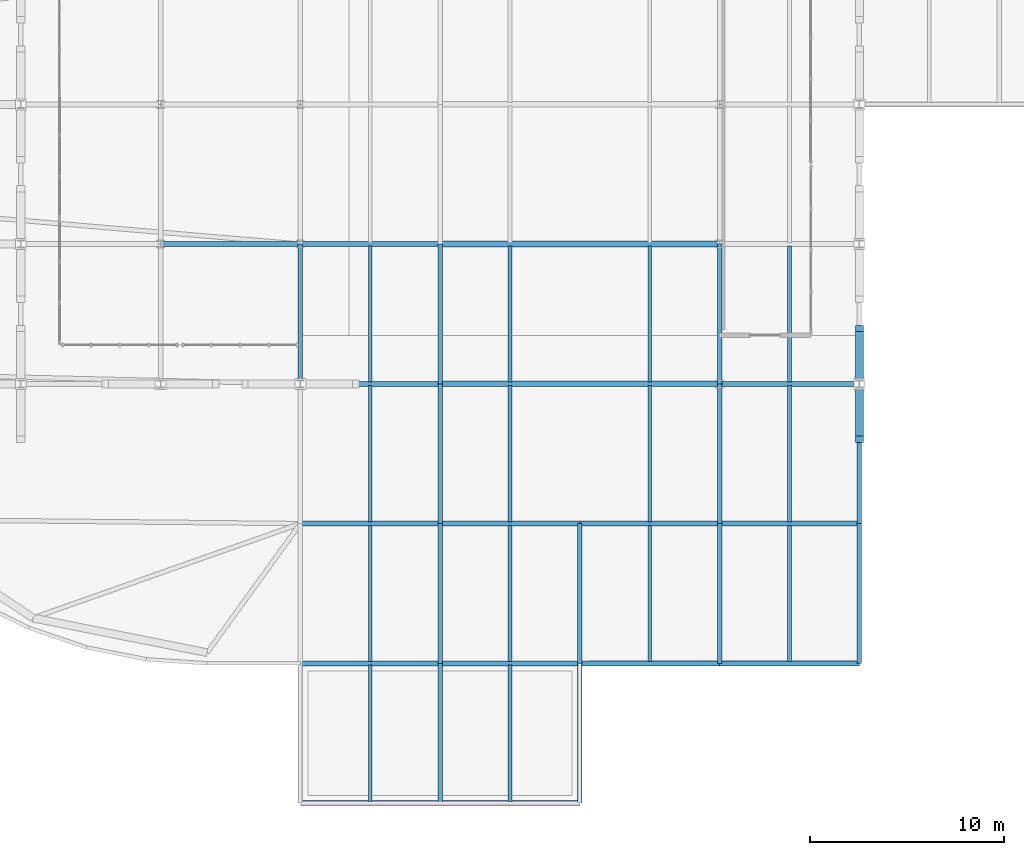
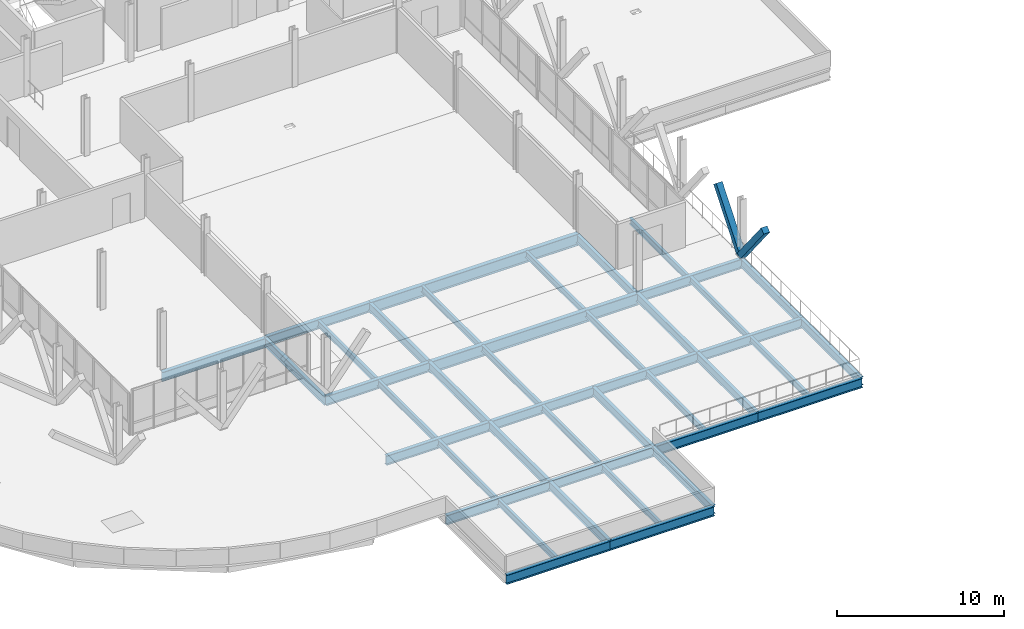
# One storey, part 12 of 102: 42 beams, 2 members.
"""IFC4 building model written with IfcOpenShell, lengths in metres."""

from ifc_helpers import new_model, si_unit, direction, frame, origin, origin_2d, place, context, subcontext, project, spatial, rectangle, i_section, extrude, material, material_profile, profile_set, type_object, element, save


model = new_model("IFC4")

# Units and contexts
model_context = context("Model", 3, precision=1e-05, world=origin(), true_north=direction((0.0, 1.0)))
body_context = subcontext(model_context, "Body", "Model", "MODEL_VIEW")
ifc_project = project(units=[si_unit("LENGTHUNIT", "METRE"), si_unit("AREAUNIT", "SQUARE_METRE"), si_unit("VOLUMEUNIT", "CUBIC_METRE"), si_unit("PLANEANGLEUNIT", "RADIAN"), si_unit("MASSUNIT", "GRAM", prefix="KILO")], contexts=[model_context])

# Site, building, storey
site_placement = place(None, origin())
site = spatial("IfcSite", under=ifc_project, at=site_placement, CompositionType="ELEMENT")
building_placement = place(site_placement, origin())
building = spatial("IfcBuilding", under=site, at=building_placement, Name="Yarey Park Central Fire Station", CompositionType="ELEMENT")
storey_placement = place(building_placement, frame((0.0, 0.0, 6.0)))
storey = spatial("IfcBuildingStorey", under=building, at=storey_placement, Name="L02", CompositionType="ELEMENT", Elevation=6.0)

# Beams
ifc_material_1 = material(Name="Steel ASTM A992 Gr. 50", Category="steel")
ifc_material_profile_1 = material_profile(ifc_material_1, i_section(OverallWidth=0.22900390625, OverallDepth=0.612060546875, WebThickness=0.011962890625, FlangeThickness=0.01953125, at=origin_2d()), Name="W610x125")
ifc_profile_set_1 = profile_set([ifc_material_profile_1], Name="Steel ASTM A992 Gr. 50")
beam_type_1 = type_object("IfcBeamType", Name="STR_BM_W610", PredefinedType="BEAM", material=ifc_profile_set_1)
for number, where, z_axis, x_axis, name in (
    (1, (28.800048828125, 21.60009765625, -0.591064453125), (0.0, 1.0, 0.0), (-1.0, 0.0, 0.0), "BMY L02 X288 Y216"),
    (2, (36.0, 0.0, -0.5009765625), (0.0, 1.0, 0.0), (-1.0, 0.0, 0.0), "BMY L02 X360 Y0"),
    (3, (36.0, 7.199951171875, -0.510986328125), (0.0, 1.0, 0.0), (-1.0, 0.0, 0.0), "BMY L02 X360 Y72"),
):
    element("IfcBeam", number, at=place(storey_placement, frame(where, z_axis=z_axis, x_axis=x_axis)), inside=storey, type_object=beam_type_1, Name=name, PredefinedType="BEAM", context=body_context, shape_type="SweptSolid", body=[
        extrude(i_section(OverallWidth=0.22900390625, OverallDepth=0.612060546875, WebThickness=0.011962890625, FlangeThickness=0.01953125, at=origin_2d()), origin(), (0.0, 0.0, 1.0), 7.199951171875),
    ])
beam_1_placement = place(storey_placement, frame((36.0, 14.39990234375, -0.510986328125), z_axis=(0.0, 1.0, 0.0), x_axis=(-1.0, 0.0, 0.0)))
element("IfcBeam", 4, at=beam_1_placement, inside=storey, type_object=beam_type_1, Name="BMY L02 X360 Y144", PredefinedType="BEAM", context=body_context, shape_type="SweptSolid", body=[
    extrude(i_section(OverallWidth=0.22900390625, OverallDepth=0.612060546875, WebThickness=0.011962890625, FlangeThickness=0.01953125, at=origin_2d()), origin(), (0.0, 0.0, 1.0), 7.2001953125),
])
for number, where, z_axis, x_axis, name in (
    (5, (36.0, 21.60009765625, -0.51611328125), (0.0, 1.0, 0.0), (-1.0, 0.0, 0.0), "BMY L02 X360 Y216"),
    (6, (43.199951171875, 0.0, -0.5009765625), (0.0, 1.0, 0.0), (-1.0, 0.0, 0.0), "BMY L02 X432 Y0"),
    (7, (43.199951171875, 7.199951171875, -0.510986328125), (0.0, 1.0, 0.0), (-1.0, 0.0, 0.0), "BMY L02 X432 Y72"),
    (8, (50.39990234375, 7.199951171875, -0.510986328125), (0.0, 1.0, 0.0), (-1.0, 0.0, 0.0), "BMY L02 X504 Y72"),
):
    element("IfcBeam", number, at=place(storey_placement, frame(where, z_axis=z_axis, x_axis=x_axis)), inside=storey, type_object=beam_type_1, Name=name, PredefinedType="BEAM", context=body_context, shape_type="SweptSolid", body=[
        extrude(i_section(OverallWidth=0.22900390625, OverallDepth=0.612060546875, WebThickness=0.011962890625, FlangeThickness=0.01953125, at=origin_2d()), origin(), (0.0, 0.0, 1.0), 7.199951171875),
    ])
beam_2_placement = place(storey_placement, frame((50.39990234375, 14.39990234375, -0.510986328125), z_axis=(0.0, 1.0, 0.0), x_axis=(-1.0, 0.0, 0.0)))
element("IfcBeam", 9, at=beam_2_placement, inside=storey, type_object=beam_type_1, Name="BMY L02 X504 Y144", PredefinedType="BEAM", context=body_context, shape_type="SweptSolid", body=[
    extrude(i_section(OverallWidth=0.22900390625, OverallDepth=0.612060546875, WebThickness=0.011962890625, FlangeThickness=0.01953125, at=origin_2d()), origin(), (0.0, 0.0, 1.0), 7.2001953125),
])
for number, where, z_axis, x_axis, name in (
    (10, (50.39990234375, 21.60009765625, -0.591064453125), (0.0, 1.0, 0.0), (-1.0, 0.0, 0.0), "BMY L02 X504 Y216"),
    (11, (57.60009765625, 7.199951171875, -0.510986328125), (0.0, 1.0, 0.0), (-1.0, 0.0, 0.0), "BMY L02 X576 Y72"),
):
    element("IfcBeam", number, at=place(storey_placement, frame(where, z_axis=z_axis, x_axis=x_axis)), inside=storey, type_object=beam_type_1, Name=name, PredefinedType="BEAM", context=body_context, shape_type="SweptSolid", body=[
        extrude(i_section(OverallWidth=0.22900390625, OverallDepth=0.612060546875, WebThickness=0.011962890625, FlangeThickness=0.01953125, at=origin_2d()), origin(), (0.0, 0.0, 1.0), 7.199951171875),
    ])
beam_3_placement = place(storey_placement, frame((57.60009765625, 14.39990234375, -0.510986328125), z_axis=(0.0, 1.0, 0.0), x_axis=(-1.0, 0.0, 0.0)))
element("IfcBeam", 12, at=beam_3_placement, inside=storey, type_object=beam_type_1, Name="BMY L02 X576 Y144", PredefinedType="BEAM", context=body_context, shape_type="SweptSolid", body=[
    extrude(i_section(OverallWidth=0.22900390625, OverallDepth=0.612060546875, WebThickness=0.011962890625, FlangeThickness=0.01953125, at=origin_2d()), origin(), (0.0, 0.0, 1.0), 7.2001953125),
])
ifc_material_profile_2 = material_profile(ifc_material_1, i_section(OverallWidth=0.256103515625, OverallDepth=0.693115234375, WebThickness=0.014404296875, FlangeThickness=0.023681640625, at=origin_2d()), Name="W690x170")
ifc_profile_set_2 = profile_set([ifc_material_profile_2], Name="Steel ASTM A992 Gr. 50")
beam_type_2 = type_object("IfcBeamType", Name="STR_BM_W690", PredefinedType="BEAM", material=ifc_profile_set_2)
for number, where, z_axis, x_axis, name in (
    (13, (28.800048828125, 0.0, -0.54150390625), (1.0, 0.0, 0.0), (0.0, 1.0, 0.0), "BMX L02 Y0 X288"),
    (14, (36.0, 0.0, -0.54150390625), (1.0, 0.0, 0.0), (0.0, 1.0, 0.0), "BMX L02 Y0 X360"),
    (15, (28.800048828125, 7.199951171875, -0.551513671875), (1.0, 0.0, 0.0), (0.0, 1.0, 0.0), "BMX L02 Y72 X288"),
    (16, (36.0, 7.199951171875, -0.551513671875), (1.0, 0.0, 0.0), (0.0, 1.0, 0.0), "BMX L02 Y72 X360"),
    (17, (43.199951171875, 7.199951171875, -0.551513671875), (1.0, 0.0, 0.0), (0.0, 1.0, 0.0), "BMX L02 Y72 X432"),
):
    element("IfcBeam", number, at=place(storey_placement, frame(where, z_axis=z_axis, x_axis=x_axis)), inside=storey, type_object=beam_type_2, Name=name, PredefinedType="BEAM", context=body_context, shape_type="SweptSolid", body=[
        extrude(i_section(OverallWidth=0.256103515625, OverallDepth=0.693115234375, WebThickness=0.014404296875, FlangeThickness=0.023681640625, at=origin_2d()), origin(), (0.0, 0.0, 1.0), 7.199951171875),
    ])
beam_4_placement = place(storey_placement, frame((50.39990234375, 7.199951171875, -0.551513671875), z_axis=(1.0, 0.0, 0.0), x_axis=(0.0, 1.0, 0.0)))
element("IfcBeam", 18, at=beam_4_placement, inside=storey, type_object=beam_type_2, Name="BMX L02 Y72 X504", PredefinedType="BEAM", context=body_context, shape_type="SweptSolid", body=[
    extrude(i_section(OverallWidth=0.256103515625, OverallDepth=0.693115234375, WebThickness=0.014404296875, FlangeThickness=0.023681640625, at=origin_2d()), origin(), (0.0, 0.0, 1.0), 7.2001953125),
])
for number, where, z_axis, x_axis, name in (
    (19, (28.800048828125, 14.39990234375, -0.551513671875), (1.0, 0.0, 0.0), (0.0, 1.0, 0.0), "BMX L02 Y144 X288"),
    (20, (36.0, 14.39990234375, -0.551513671875), (1.0, 0.0, 0.0), (0.0, 1.0, 0.0), "BMX L02 Y144 X360"),
    (21, (43.199951171875, 14.39990234375, -0.551513671875), (1.0, 0.0, 0.0), (0.0, 1.0, 0.0), "BMX L02 Y144 X432"),
):
    element("IfcBeam", number, at=place(storey_placement, frame(where, z_axis=z_axis, x_axis=x_axis)), inside=storey, type_object=beam_type_2, Name=name, PredefinedType="BEAM", context=body_context, shape_type="SweptSolid", body=[
        extrude(i_section(OverallWidth=0.256103515625, OverallDepth=0.693115234375, WebThickness=0.014404296875, FlangeThickness=0.023681640625, at=origin_2d()), origin(), (0.0, 0.0, 1.0), 7.199951171875),
    ])
beam_5_placement = place(storey_placement, frame((50.39990234375, 14.39990234375, -0.551513671875), z_axis=(1.0, 0.0, 0.0), x_axis=(0.0, 1.0, 0.0)))
element("IfcBeam", 22, at=beam_5_placement, inside=storey, type_object=beam_type_2, Name="BMX L02 Y144 X504", PredefinedType="BEAM", context=body_context, shape_type="SweptSolid", body=[
    extrude(i_section(OverallWidth=0.256103515625, OverallDepth=0.693115234375, WebThickness=0.014404296875, FlangeThickness=0.023681640625, at=origin_2d()), origin(), (0.0, 0.0, 1.0), 7.2001953125),
])
beam_6_placement = place(storey_placement, frame((28.800048828125, 21.60009765625, -0.551513671875), z_axis=(1.0, 0.0, 0.0), x_axis=(0.0, 1.0, 0.0)))
element("IfcBeam", 23, at=beam_6_placement, inside=storey, type_object=beam_type_2, Name="BMX L02 Y216 X288", PredefinedType="BEAM", context=body_context, shape_type="SweptSolid", body=[
    extrude(i_section(OverallWidth=0.256103515625, OverallDepth=0.693115234375, WebThickness=0.014404296875, FlangeThickness=0.023681640625, at=origin_2d()), origin(), (0.0, 0.0, 1.0), 7.199951171875),
])
beam_7_placement = place(storey_placement, frame((50.39990234375, 21.60009765625, -0.551513671875), z_axis=(1.0, 0.0, 0.0), x_axis=(0.0, 1.0, 0.0)))
element("IfcBeam", 24, at=beam_7_placement, inside=storey, type_object=beam_type_2, Name="BMX L02 Y216 X504", PredefinedType="BEAM", context=body_context, shape_type="SweptSolid", body=[
    extrude(i_section(OverallWidth=0.256103515625, OverallDepth=0.693115234375, WebThickness=0.014404296875, FlangeThickness=0.023681640625, at=origin_2d()), origin(), (0.0, 0.0, 1.0), 7.2001953125),
])
for number, where, z_axis, x_axis, name in (
    (25, (28.800048828125, 28.800048828125, -0.556396484375), (1.0, 0.0, 0.0), (0.0, 1.0, 0.0), "BMX L02 Y288 X288"),
    (26, (21.60009765625, 28.800048828125, -0.631591796875), (1.0, 0.0, 0.0), (0.0, 1.0, 0.0), "DRUM L02 G2 Y288"),
):
    element("IfcBeam", number, at=place(storey_placement, frame(where, z_axis=z_axis, x_axis=x_axis)), inside=storey, type_object=beam_type_2, Name=name, PredefinedType="BEAM", context=body_context, shape_type="SweptSolid", body=[
        extrude(i_section(OverallWidth=0.256103515625, OverallDepth=0.693115234375, WebThickness=0.014404296875, FlangeThickness=0.023681640625, at=origin_2d()), origin(), (0.0, 0.0, 1.0), 7.199951171875),
    ])
ifc_material_profile_3 = material_profile(ifc_material_1, i_section(OverallWidth=0.2939453125, OverallDepth=0.85107421875, WebThickness=0.01611328125, FlangeThickness=0.02685546875, at=origin_2d()), Name="W840x226")
ifc_profile_set_3 = profile_set([ifc_material_profile_3], Name="Steel ASTM A992 Gr. 50")
beam_type_3 = type_object("IfcBeamType", Name="STR_BM_W840", PredefinedType="BEAM", material=ifc_profile_set_3)
for number, where, z_axis, x_axis, name in (
    (27, (36.0, 21.60009765625, -0.630615234375), (1.0, 0.0, 0.0), (0.0, 1.0, 0.0), "BMX L02 Y216 X360"),
    (28, (36.0, 28.800048828125, -0.635498046875), (1.0, 0.0, 0.0), (0.0, 1.0, 0.0), "BMX L02 Y288 X360"),
):
    element("IfcBeam", number, at=place(storey_placement, frame(where, z_axis=z_axis, x_axis=x_axis)), inside=storey, type_object=beam_type_3, Name=name, PredefinedType="BEAM", context=body_context, shape_type="SweptSolid", body=[
        extrude(i_section(OverallWidth=0.2939453125, OverallDepth=0.85107421875, WebThickness=0.01611328125, FlangeThickness=0.02685546875, at=origin_2d()), origin(), (0.0, 0.0, 1.0), 14.39990234375),
    ])
ifc_material_profile_4 = material_profile(ifc_material_1, i_section(OverallWidth=0.18994140625, OverallDepth=0.45703125, WebThickness=0.009033203125, FlangeThickness=0.014404296875, at=origin_2d()), Name="W460x74")
ifc_profile_set_4 = profile_set([ifc_material_profile_4], Name="Steel ASTM A992 Gr. 50")
beam_type_4 = type_object("IfcBeamType", Name="STR_JST_W460", PredefinedType="JOIST", material=ifc_profile_set_4)
for number, where, z_axis, x_axis, name in (
    (29, (32.39990234375, 0.094970703125, -0.423583984375), (0.0, 1.0, 0.0), (-1.0, 0.0, 0.0), "JST L02 X324 Y0"),
    (30, (32.39990234375, 7.294921875, -0.43359375), (0.0, 1.0, 0.0), (-1.0, 0.0, 0.0), "JST L02 X324 Y72"),
):
    element("IfcBeam", number, at=place(storey_placement, frame(where, z_axis=z_axis, x_axis=x_axis)), inside=storey, type_object=beam_type_4, Name=name, PredefinedType="JOIST", context=body_context, shape_type="SweptSolid", body=[
        extrude(i_section(OverallWidth=0.18994140625, OverallDepth=0.45703125, WebThickness=0.009033203125, FlangeThickness=0.014404296875, at=origin_2d()), origin(), (0.0, 0.0, 1.0), 7.010009765625),
    ])
beam_8_placement = place(storey_placement, frame((32.39990234375, 14.4951171875, -0.43359375), z_axis=(0.0, 1.0, 0.0), x_axis=(-1.0, 0.0, 0.0)))
element("IfcBeam", 31, at=beam_8_placement, inside=storey, type_object=beam_type_4, Name="JST L02 X324 Y144", PredefinedType="JOIST", context=body_context, shape_type="SweptSolid", body=[
    extrude(i_section(OverallWidth=0.18994140625, OverallDepth=0.45703125, WebThickness=0.009033203125, FlangeThickness=0.014404296875, at=origin_2d()), origin(), (0.0, 0.0, 1.0), 7.009765625),
])
for number, where, z_axis, x_axis, name in (
    (32, (32.39990234375, 21.695068359375, -0.4384765625), (0.0, 1.0, 0.0), (-1.0, 0.0, 0.0), "JST L02 X324 Y216"),
    (33, (39.60009765625, 0.094970703125, -0.423583984375), (0.0, 1.0, 0.0), (-1.0, 0.0, 0.0), "JST L02 X396 Y0"),
    (34, (39.60009765625, 7.294921875, -0.43359375), (0.0, 1.0, 0.0), (-1.0, 0.0, 0.0), "JST L02 X396 Y72"),
):
    element("IfcBeam", number, at=place(storey_placement, frame(where, z_axis=z_axis, x_axis=x_axis)), inside=storey, type_object=beam_type_4, Name=name, PredefinedType="JOIST", context=body_context, shape_type="SweptSolid", body=[
        extrude(i_section(OverallWidth=0.18994140625, OverallDepth=0.45703125, WebThickness=0.009033203125, FlangeThickness=0.014404296875, at=origin_2d()), origin(), (0.0, 0.0, 1.0), 7.010009765625),
    ])
beam_9_placement = place(storey_placement, frame((39.60009765625, 14.4951171875, -0.43359375), z_axis=(0.0, 1.0, 0.0), x_axis=(-1.0, 0.0, 0.0)))
element("IfcBeam", 35, at=beam_9_placement, inside=storey, type_object=beam_type_4, Name="JST L02 X396 Y144", PredefinedType="JOIST", context=body_context, shape_type="SweptSolid", body=[
    extrude(i_section(OverallWidth=0.18994140625, OverallDepth=0.45703125, WebThickness=0.009033203125, FlangeThickness=0.014404296875, at=origin_2d()), origin(), (0.0, 0.0, 1.0), 7.009765625),
])
for number, where, z_axis, x_axis, name in (
    (36, (39.60009765625, 21.695068359375, -0.4384765625), (0.0, 1.0, 0.0), (-1.0, 0.0, 0.0), "JST L02 X396 Y216"),
    (37, (46.800048828125, 7.294921875, -0.43359375), (0.0, 1.0, 0.0), (-1.0, 0.0, 0.0), "JST L02 X468 Y72"),
):
    element("IfcBeam", number, at=place(storey_placement, frame(where, z_axis=z_axis, x_axis=x_axis)), inside=storey, type_object=beam_type_4, Name=name, PredefinedType="JOIST", context=body_context, shape_type="SweptSolid", body=[
        extrude(i_section(OverallWidth=0.18994140625, OverallDepth=0.45703125, WebThickness=0.009033203125, FlangeThickness=0.014404296875, at=origin_2d()), origin(), (0.0, 0.0, 1.0), 7.010009765625),
    ])
beam_10_placement = place(storey_placement, frame((46.800048828125, 14.4951171875, -0.43359375), z_axis=(0.0, 1.0, 0.0), x_axis=(-1.0, 0.0, 0.0)))
element("IfcBeam", 38, at=beam_10_placement, inside=storey, type_object=beam_type_4, Name="JST L02 X468 Y144", PredefinedType="JOIST", context=body_context, shape_type="SweptSolid", body=[
    extrude(i_section(OverallWidth=0.18994140625, OverallDepth=0.45703125, WebThickness=0.009033203125, FlangeThickness=0.014404296875, at=origin_2d()), origin(), (0.0, 0.0, 1.0), 7.009765625),
])
for number, where, z_axis, x_axis, name in (
    (39, (46.800048828125, 21.695068359375, -0.4384765625), (0.0, 1.0, 0.0), (-1.0, 0.0, 0.0), "JST L02 X468 Y216"),
    (40, (54.0, 7.294921875, -0.43359375), (0.0, 1.0, 0.0), (-1.0, 0.0, 0.0), "JST L02 X540 Y72"),
):
    element("IfcBeam", number, at=place(storey_placement, frame(where, z_axis=z_axis, x_axis=x_axis)), inside=storey, type_object=beam_type_4, Name=name, PredefinedType="JOIST", context=body_context, shape_type="SweptSolid", body=[
        extrude(i_section(OverallWidth=0.18994140625, OverallDepth=0.45703125, WebThickness=0.009033203125, FlangeThickness=0.014404296875, at=origin_2d()), origin(), (0.0, 0.0, 1.0), 7.010009765625),
    ])
beam_11_placement = place(storey_placement, frame((54.0, 14.4951171875, -0.43359375), z_axis=(0.0, 1.0, 0.0), x_axis=(-1.0, 0.0, 0.0)))
element("IfcBeam", 41, at=beam_11_placement, inside=storey, type_object=beam_type_4, Name="JST L02 X540 Y144", PredefinedType="JOIST", context=body_context, shape_type="SweptSolid", body=[
    extrude(i_section(OverallWidth=0.18994140625, OverallDepth=0.45703125, WebThickness=0.009033203125, FlangeThickness=0.014404296875, at=origin_2d()), origin(), (0.0, 0.0, 1.0), 7.009765625),
])
beam_12_placement = place(storey_placement, frame((54.0, 21.695068359375, -0.513427734375), z_axis=(0.0, 1.0, 0.0), x_axis=(-1.0, 0.0, 0.0)))
element("IfcBeam", 42, at=beam_12_placement, inside=storey, type_object=beam_type_4, Name="JST L02 X540 Y216", PredefinedType="JOIST", context=body_context, shape_type="SweptSolid", body=[
    extrude(i_section(OverallWidth=0.18994140625, OverallDepth=0.45703125, WebThickness=0.009033203125, FlangeThickness=0.014404296875, at=origin_2d()), origin(), (0.0, 0.0, 1.0), 7.010009765625),
])

# Members
ifc_material_2 = material(Name="Glulam GL28h", Category="wood")
ifc_material_profile_5 = material_profile(ifc_material_2, rectangle(XDim=0.419921875, YDim=0.419921875, at=origin_2d()), Name="GL 420x420")
ifc_profile_set_5 = profile_set([ifc_material_profile_5], Name="Glulam GL28h")
member_type = type_object("IfcMemberType", Name="STR_STRUT_GL420", PredefinedType="STRUT", material=ifc_profile_set_5)
for number, where, z_axis, x_axis, name in (
    (43, (57.60009765625, 21.60009765625, -0.02001953125), (0.0, 0.623866946252, 0.781530570979), (-1.0, 0.0, 0.0), "Raked Glulam Strut RGS-63"),
    (44, (57.60009765625, 21.60009765625, -0.02001953125), (0.0, -0.623899588473, 0.781504512785), (1.0, 0.0, 0.0), "Raked Glulam Strut RGS-64"),
):
    element("IfcMember", number, at=place(storey_placement, frame(where, z_axis=z_axis, x_axis=x_axis)), inside=storey, type_object=member_type, Name=name, PredefinedType="STRUT", context=body_context, shape_type="SweptSolid", body=[
        extrude(rectangle(XDim=0.419921875, YDim=0.419921875, at=origin_2d()), origin(), (0.0, 0.0, 1.0), 4.568115234375),
    ])

save(model, "model.ifc")
